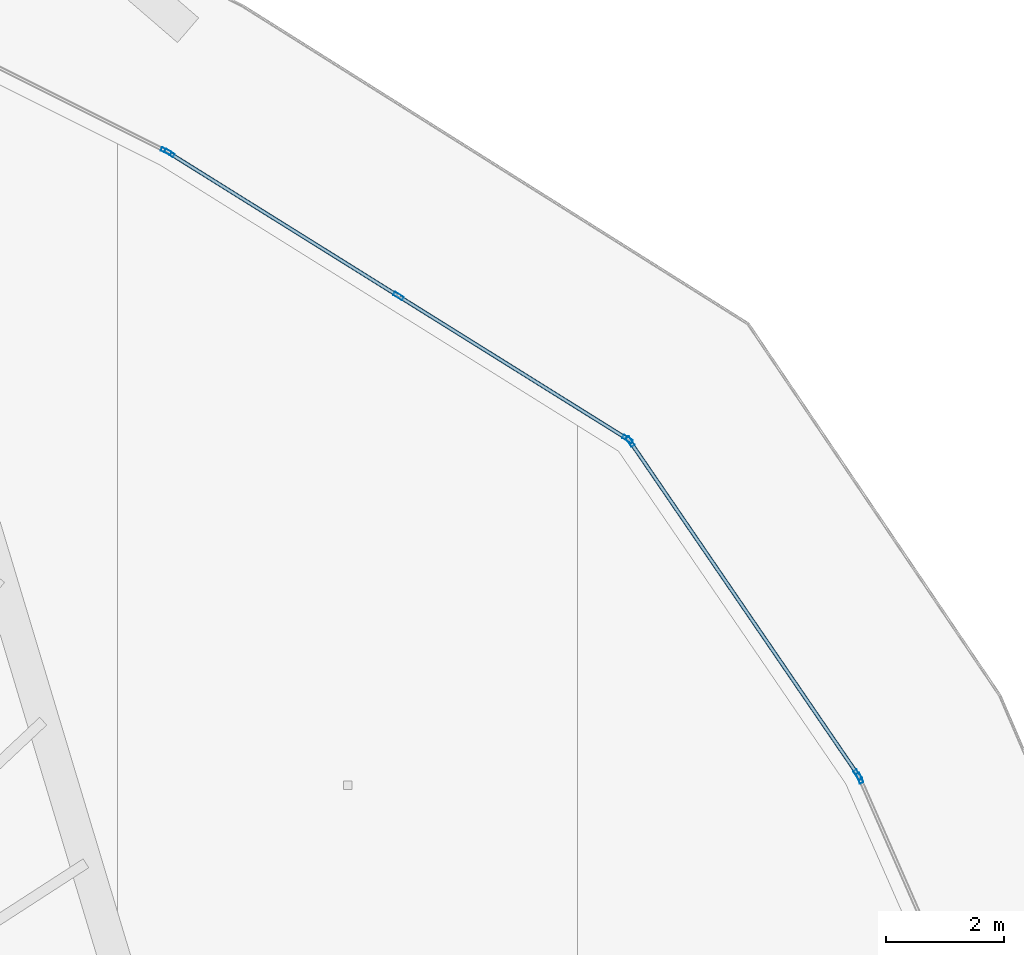
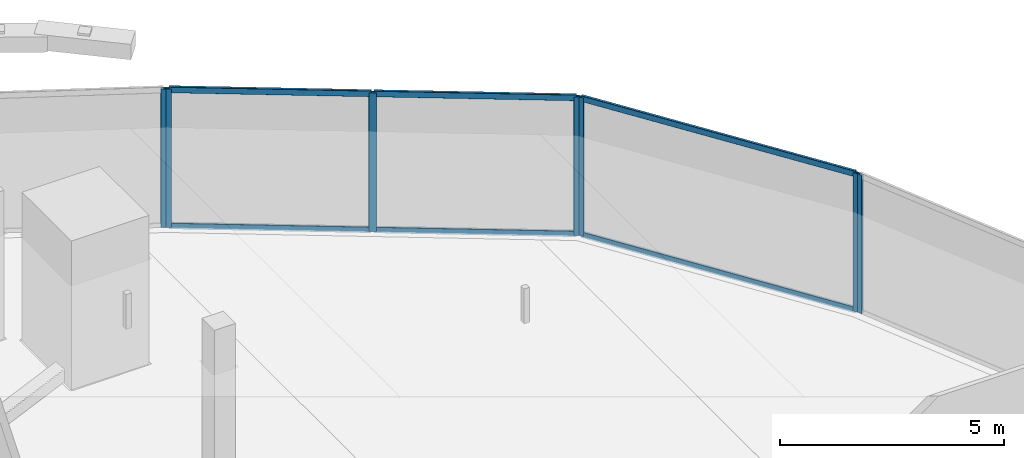
# One storey, part 24 of 45: 13 members, 4 elements without a shape of their own.
"""IFC4 building model written with IfcOpenShell, lengths in metres."""

from ifc_helpers import new_model, si_unit, direction, frame, origin, origin_2d, place, context, subcontext, project, spatial, hollow_rectangle, extrude, material, layer, layer_set, material_profile, profile_set, type_object, element, aggregate, save


model = new_model("IFC4")

# Units and contexts
model_context = context("Model", 3, precision=1e-05, world=origin(), true_north=direction((0.0, 1.0)))
body_context = subcontext(model_context, "Body", "Model", "MODEL_VIEW")
ifc_project = project(units=[si_unit("LENGTHUNIT", "METRE"), si_unit("AREAUNIT", "SQUARE_METRE"), si_unit("VOLUMEUNIT", "CUBIC_METRE"), si_unit("PLANEANGLEUNIT", "RADIAN"), si_unit("MASSUNIT", "GRAM", prefix="KILO")], contexts=[model_context])

# Site, building, storey
site_placement = place(None, origin())
site = spatial("IfcSite", under=ifc_project, at=site_placement, CompositionType="ELEMENT")
building_placement = place(site_placement, origin())
building = spatial("IfcBuilding", under=site, at=building_placement, Name="Qorvath Tower", CompositionType="ELEMENT")
storey_placement = place(building_placement, frame((0.0, 0.0, 126.0)))
storey = spatial("IfcBuildingStorey", under=building, at=storey_placement, Name="L28", CompositionType="ELEMENT", Elevation=126.0)

# Curtain wall, member
ifc_material_1 = material(Name="Anodised aluminium and triple low-E glass", Category="aluminium")
ifc_layer = layer(ifc_material_1, 0.179931640625)
ifc_layer_set = layer_set([ifc_layer], Name="CW-SYS-2")
curtain_wall_type = type_object("IfcCurtainWallType", Name="CW-SYS-2", PredefinedType="NOTDEFINED", material=ifc_layer_set)
curtain_wall_1_placement = place(storey_placement, origin())
curtain_wall_1 = element("IfcCurtainWall", 1, at=curtain_wall_1_placement, inside=storey, type_object=curtain_wall_type, Name="Curtain Wall CW-2 CW-T-L28-12.1", PredefinedType="NOTDEFINED")
ifc_material_2 = material(Name="Anodised aluminium 6063-T6", Category="aluminium")
ifc_material_profile_1 = material_profile(ifc_material_2, hollow_rectangle(XDim=0.06494140625, YDim=0.179931640625, WallThickness=0.00341796875, InnerFilletRadius=0.00341796875, OuterFilletRadius=0.007080078125, at=origin_2d()), Name="CWM 180x65")
ifc_profile_set_1 = profile_set([ifc_material_profile_1], Name="Anodised aluminium 6063-T6")
member_type_1 = type_object("IfcMemberType", Name="CWM-180", PredefinedType="MULLION", material=ifc_profile_set_1)
member_1_placement = place(storey_placement, frame((0.38525390625, 17.982666015625, 0.0), z_axis=(0.0, 0.0, 1.0), x_axis=(-0.915793818987, -0.401648703602, 0.0)))
member_1 = element("IfcMember", 2, at=member_1_placement, type_object=member_type_1, Name="CW-2 mullion 2", PredefinedType="MULLION", context=body_context, shape_type="SweptSolid", body=[
    extrude(hollow_rectangle(XDim=0.06494140625, YDim=0.179931640625, WallThickness=0.00341796875, InnerFilletRadius=0.00341796875, OuterFilletRadius=0.007080078125, at=origin_2d()), origin(), (0.0, 0.0, 1.0), 3.77001953125),
])
aggregate(curtain_wall_1, [member_1])

# Curtain wall, members
curtain_wall_2_placement = place(storey_placement, origin())
curtain_wall_2 = element("IfcCurtainWall", 3, at=curtain_wall_2_placement, inside=storey, type_object=curtain_wall_type, Name="Curtain Wall CW-2 CW-T-L28-13.1", PredefinedType="NOTDEFINED")
member_2_placement = place(storey_placement, frame((0.35400390625, 18.039306640625, 0.0), z_axis=(0.0, 0.0, 1.0), x_axis=(-0.825662865244, -0.564163835208, 0.0)))
member_2 = element("IfcMember", 4, at=member_2_placement, type_object=member_type_1, Name="CW-2 mullion 1", PredefinedType="MULLION", context=body_context, shape_type="SweptSolid", body=[
    extrude(hollow_rectangle(XDim=0.06494140625, YDim=0.179931640625, WallThickness=0.00341796875, InnerFilletRadius=0.00341796875, OuterFilletRadius=0.007080078125, at=origin_2d()), origin(), (0.0, 0.0, 1.0), 3.77001953125),
])
member_3_placement = place(storey_placement, frame((-3.5029296875, 23.683837890625, 0.0), z_axis=(0.0, 0.0, 1.0), x_axis=(-0.825662865244, -0.564163835208, 0.0)))
member_3 = element("IfcMember", 5, at=member_3_placement, type_object=member_type_1, Name="CW-2 mullion 2", PredefinedType="MULLION", context=body_context, shape_type="SweptSolid", body=[
    extrude(hollow_rectangle(XDim=0.06494140625, YDim=0.179931640625, WallThickness=0.00341796875, InnerFilletRadius=0.00341796875, OuterFilletRadius=0.007080078125, at=origin_2d()), origin(), (0.0, 0.0, 1.0), 3.77001953125),
])

curtain_wall_3_placement = place(storey_placement, origin())
curtain_wall_3 = element("IfcCurtainWall", 6, at=curtain_wall_3_placement, inside=storey, type_object=curtain_wall_type, Name="Curtain Wall CW-2 CW-T-L28-14.1", PredefinedType="NOTDEFINED")
member_4_placement = place(storey_placement, frame((-3.548828125, 23.72802734375, 0.0), z_axis=(0.0, 0.0, 1.0), x_axis=(-0.529503324069, -0.84830786263, 0.0)))
member_4 = element("IfcMember", 7, at=member_4_placement, type_object=member_type_1, Name="CW-2 mullion 1", PredefinedType="MULLION", context=body_context, shape_type="SweptSolid", body=[
    extrude(hollow_rectangle(XDim=0.06494140625, YDim=0.179931640625, WallThickness=0.00341796875, InnerFilletRadius=0.00341796875, OuterFilletRadius=0.007080078125, at=origin_2d()), origin(), (0.0, 0.0, 1.0), 3.77001953125),
])
member_5_placement = place(storey_placement, frame((-7.4296875, 26.150390625, 0.0), z_axis=(0.0, 0.0, 1.0), x_axis=(-0.529503324069, -0.84830786263, 0.0)))
member_5 = element("IfcMember", 8, at=member_5_placement, type_object=member_type_1, Name="CW-2 mullion 2", PredefinedType="MULLION", context=body_context, shape_type="SweptSolid", body=[
    extrude(hollow_rectangle(XDim=0.06494140625, YDim=0.179931640625, WallThickness=0.00341796875, InnerFilletRadius=0.00341796875, OuterFilletRadius=0.007080078125, at=origin_2d()), origin(), (0.0, 0.0, 1.0), 3.77001953125),
])
member_6_placement = place(storey_placement, frame((-11.310791015625, 28.572998046875, 0.0), z_axis=(0.0, 0.0, 1.0), x_axis=(-0.529503324069, -0.84830786263, 0.0)))
member_6 = element("IfcMember", 9, at=member_6_placement, type_object=member_type_1, Name="CW-2 mullion 3", PredefinedType="MULLION", context=body_context, shape_type="SweptSolid", body=[
    extrude(hollow_rectangle(XDim=0.06494140625, YDim=0.179931640625, WallThickness=0.00341796875, InnerFilletRadius=0.00341796875, OuterFilletRadius=0.007080078125, at=origin_2d()), origin(), (0.0, 0.0, 1.0), 3.77001953125),
])

# Curtain wall, member
curtain_wall_4_placement = place(storey_placement, origin())
curtain_wall_4 = element("IfcCurtainWall", 10, at=curtain_wall_4_placement, inside=storey, type_object=curtain_wall_type, Name="Curtain Wall CW-2 CW-T-L28-15.1", PredefinedType="NOTDEFINED")
member_7_placement = place(storey_placement, frame((-11.367431640625, 28.604736328125, 0.0), z_axis=(0.0, 0.0, 1.0), x_axis=(-0.447262398188, -0.894402787992, 0.0)))
member_7 = element("IfcMember", 11, at=member_7_placement, type_object=member_type_1, Name="CW-2 mullion 1", PredefinedType="MULLION", context=body_context, shape_type="SweptSolid", body=[
    extrude(hollow_rectangle(XDim=0.06494140625, YDim=0.179931640625, WallThickness=0.00341796875, InnerFilletRadius=0.00341796875, OuterFilletRadius=0.007080078125, at=origin_2d()), origin(), (0.0, 0.0, 1.0), 3.77001953125),
])
aggregate(curtain_wall_4, [member_7])

# Member
ifc_material_3 = material(Name="Anodised aluminium 6063-T6", Category="aluminium")
ifc_material_profile_2 = material_profile(ifc_material_3, hollow_rectangle(XDim=0.06494140625, YDim=0.159912109375, WallThickness=0.00341796875, InnerFilletRadius=0.00341796875, OuterFilletRadius=0.007080078125, at=origin_2d()), Name="CWT 160x65")
ifc_profile_set_2 = profile_set([ifc_material_profile_2], Name="Anodised aluminium 6063-T6")
member_type_2 = type_object("IfcMemberType", Name="CWT-160", PredefinedType="USERDEFINED", material=ifc_profile_set_2)
member_8_placement = place(storey_placement, frame((0.335693359375, 18.066162109375, 0.032470703125), z_axis=(-0.564182312323, 0.825650239788, 0.0), x_axis=(-0.825650239788, -0.564182312323, 0.0)))
member_8 = element("IfcMember", 12, at=member_8_placement, type_object=member_type_2, Name="CW-2 transom 1.1", ObjectType="TRANSOM", PredefinedType="USERDEFINED", context=body_context, shape_type="SweptSolid", body=[
    extrude(hollow_rectangle(XDim=0.06494140625, YDim=0.159912109375, WallThickness=0.00341796875, InnerFilletRadius=0.00341796875, OuterFilletRadius=0.007080078125, at=origin_2d()), origin(), (0.0, 0.0, 1.0), 6.771484375),
])

member_9_placement = place(storey_placement, frame((0.335693359375, 18.066162109375, 3.737548828125), z_axis=(-0.564182312323, 0.825650239788, 0.0), x_axis=(-0.825650239788, -0.564182312323, 0.0)))
member_9 = element("IfcMember", 13, at=member_9_placement, type_object=member_type_2, Name="CW-2 transom 1.2", ObjectType="TRANSOM", PredefinedType="USERDEFINED", context=body_context, shape_type="SweptSolid", body=[
    extrude(hollow_rectangle(XDim=0.06494140625, YDim=0.159912109375, WallThickness=0.00341796875, InnerFilletRadius=0.00341796875, OuterFilletRadius=0.007080078125, at=origin_2d()), origin(), (0.0, 0.0, 1.0), 6.771484375),
])

aggregate(curtain_wall_2, [member_2, member_3, member_8, member_9])

member_10_placement = place(storey_placement, frame((-3.576416015625, 23.7451171875, 0.032470703125), z_axis=(-0.848299237237, 0.529517142407, 0.0), x_axis=(-0.529517142407, -0.848299237237, 0.0)))
member_10 = element("IfcMember", 14, at=member_10_placement, type_object=member_type_2, Name="CW-2 transom 1.1", ObjectType="TRANSOM", PredefinedType="USERDEFINED", context=body_context, shape_type="SweptSolid", body=[
    extrude(hollow_rectangle(XDim=0.06494140625, YDim=0.159912109375, WallThickness=0.00341796875, InnerFilletRadius=0.00341796875, OuterFilletRadius=0.007080078125, at=origin_2d()), origin(), (0.0, 0.0, 1.0), 4.510009765625),
])

member_11_placement = place(storey_placement, frame((-3.576416015625, 23.7451171875, 3.737548828125), z_axis=(-0.848299237237, 0.529517142407, 0.0), x_axis=(-0.529517142407, -0.848299237237, 0.0)))
member_11 = element("IfcMember", 15, at=member_11_placement, type_object=member_type_2, Name="CW-2 transom 1.2", ObjectType="TRANSOM", PredefinedType="USERDEFINED", context=body_context, shape_type="SweptSolid", body=[
    extrude(hollow_rectangle(XDim=0.06494140625, YDim=0.159912109375, WallThickness=0.00341796875, InnerFilletRadius=0.00341796875, OuterFilletRadius=0.007080078125, at=origin_2d()), origin(), (0.0, 0.0, 1.0), 4.510009765625),
])

member_12_placement = place(storey_placement, frame((-7.457275390625, 26.167724609375, 0.032470703125), z_axis=(-0.848323552443, 0.52947818687, 0.0), x_axis=(-0.52947818687, -0.848323552443, 0.0)))
member_12 = element("IfcMember", 16, at=member_12_placement, type_object=member_type_2, Name="CW-2 transom 2.1", ObjectType="TRANSOM", PredefinedType="USERDEFINED", context=body_context, shape_type="SweptSolid", body=[
    extrude(hollow_rectangle(XDim=0.06494140625, YDim=0.159912109375, WallThickness=0.00341796875, InnerFilletRadius=0.00341796875, OuterFilletRadius=0.007080078125, at=origin_2d()), origin(), (0.0, 0.0, 1.0), 4.510009765625),
])

member_13_placement = place(storey_placement, frame((-7.457275390625, 26.167724609375, 3.737548828125), z_axis=(-0.848323552443, 0.52947818687, 0.0), x_axis=(-0.52947818687, -0.848323552443, 0.0)))
member_13 = element("IfcMember", 17, at=member_13_placement, type_object=member_type_2, Name="CW-2 transom 2.2", ObjectType="TRANSOM", PredefinedType="USERDEFINED", context=body_context, shape_type="SweptSolid", body=[
    extrude(hollow_rectangle(XDim=0.06494140625, YDim=0.159912109375, WallThickness=0.00341796875, InnerFilletRadius=0.00341796875, OuterFilletRadius=0.007080078125, at=origin_2d()), origin(), (0.0, 0.0, 1.0), 4.510009765625),
])

aggregate(curtain_wall_3, [member_4, member_5, member_6, member_10, member_11, member_12, member_13])

save(model, "model.ifc")
